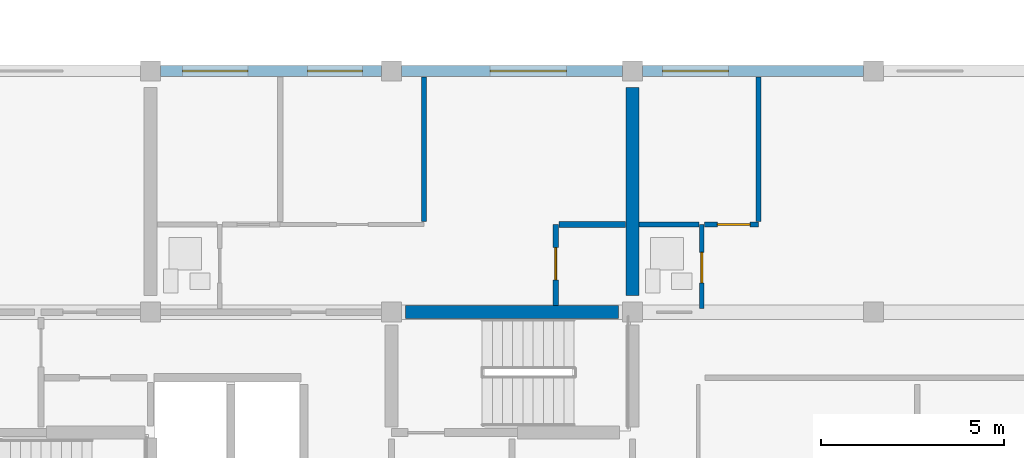
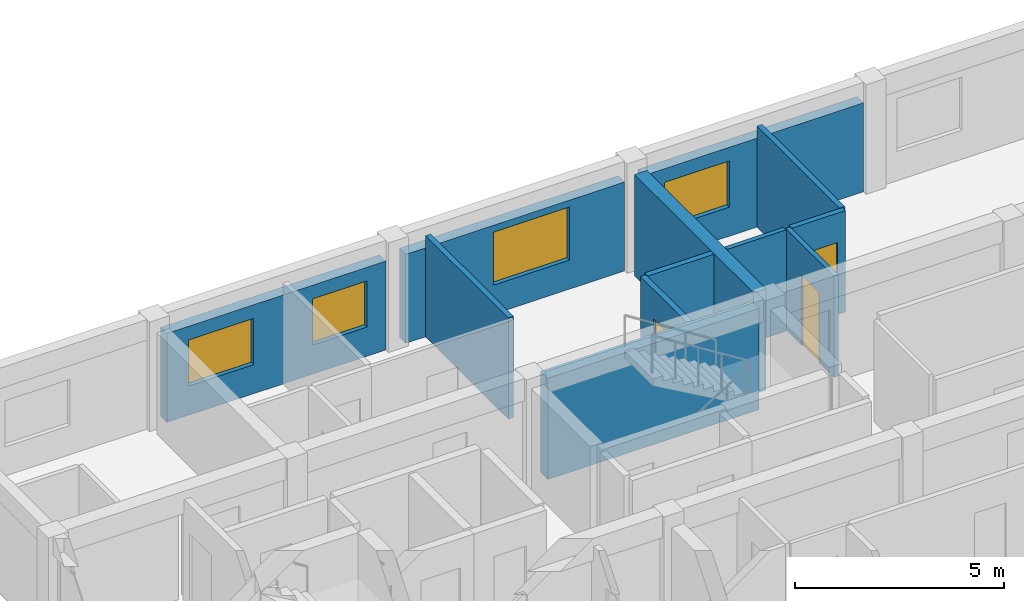
# One storey, part 38 of 52: 12 walls, 4 windows, 3 doors, 7 openings.
"""IFC4 building model written with IfcOpenShell, lengths in metres."""

import ifcopenshell
import ifcopenshell.guid

model = None  # the IFC model being written
_history = None  # IfcOwnerHistory: only IFC2X3 demands one
_inside = {}  # id of a spatial element -> (the spatial element, [elements in it])
_under = {}  # id of a project, library or spatial element -> (it, [spatial elements below it])
_declared = {}  # id of a project -> (the project, [libraries it declares])
_typed = {}  # id of a type object -> (the type object, [elements of that type])
_made_of = {}  # id of a material, layer set ... -> (it, [elements and type objects made of it])


def new_model(schema):
    """Start an empty IFC model of exactly this schema.

    Asked for "IFC4X3", IfcOpenShell would pick the latest addendum, in which some entities
    have other attributes; the version numbers below select the first issue.
    IFC2X3 requires an IfcOwnerHistory on every rooted entity: one is made here for all.
    """
    global model, _history
    if schema == "IFC4X3":
        model = ifcopenshell.file(schema_version=(4, 3, 0, 0))
    else:
        model = ifcopenshell.file(schema=schema)
    _inside.clear()
    _under.clear()
    _declared.clear()
    _typed.clear()
    _made_of.clear()
    _history = None
    if model.schema == "IFC2X3":
        org = make("IfcOrganization", Name="unknown")
        user = make(
            "IfcPersonAndOrganization",
            ThePerson=make("IfcPerson", FamilyName="unknown"),
            TheOrganization=org,
        )
        app = make(
            "IfcApplication",
            ApplicationDeveloper=org,
            Version="unknown",
            ApplicationFullName="unknown",
            ApplicationIdentifier="unknown",
        )
        _history = make(
            "IfcOwnerHistory",
            OwningUser=user,
            OwningApplication=app,
            ChangeAction="ADDED",
            CreationDate=0,
        )
    return model


def make(cls, **values):
    """One entity of the class cls with the attributes given. An attribute that is None is left unset."""
    return model.create_entity(
        cls, **{name: value for name, value in values.items() if value is not None}
    )


def rooted(cls, **values):
    """An entity with a GlobalId (a new one), such as an element, a storey or a relation."""
    return make(cls, GlobalId=ifcopenshell.guid.new(), OwnerHistory=_history, **values)


def si_unit(unit_type, name, prefix=None):
    """IfcSIUnit, for example si_unit("LENGTHUNIT", "METRE", prefix="MILLI")."""
    return make("IfcSIUnit", UnitType=unit_type, Prefix=prefix, Name=name)


def assignment(units):
    """IfcUnitAssignment: the units of a project."""
    return None if units is None else make("IfcUnitAssignment", Units=units)


def point(xyz):
    """IfcCartesianPoint."""
    return None if xyz is None else make("IfcCartesianPoint", Coordinates=xyz)


def direction(xyz):
    """IfcDirection."""
    return None if xyz is None else make("IfcDirection", DirectionRatios=xyz)


def frame(location, z_axis=None, x_axis=None):
    """IfcAxis2Placement3D, a coordinate frame: its origin and axes. An axis left out is left unset."""
    return make(
        "IfcAxis2Placement3D",
        Location=point(location),
        Axis=direction(z_axis),
        RefDirection=direction(x_axis),
    )


def frame_2d(location, x_axis=None):
    """IfcAxis2Placement2D, a coordinate frame in the plane: its origin and x axis."""
    return make(
        "IfcAxis2Placement2D", Location=point(location), RefDirection=direction(x_axis)
    )


def origin():
    """The frame at (0, 0, 0) with its axes left unset."""
    return frame((0.0, 0.0, 0.0))


def place(relative_to, where):
    """IfcLocalPlacement: puts the frame where relative to a parent placement (None: the world)."""
    return make(
        "IfcLocalPlacement", PlacementRelTo=relative_to, RelativePlacement=where
    )


def context(
    kind, dimensions, precision=None, world=None, true_north=None, identifier=None
):
    """IfcGeometricRepresentationContext, for example the 3D "Model" context."""
    return make(
        "IfcGeometricRepresentationContext",
        ContextIdentifier=identifier,
        ContextType=kind,
        CoordinateSpaceDimension=dimensions,
        Precision=precision,
        WorldCoordinateSystem=world,
        TrueNorth=true_north,
    )


def subcontext(parent, identifier, kind, view, scale=None):
    """IfcGeometricRepresentationSubContext, for example "Body" below "Model"."""
    return make(
        "IfcGeometricRepresentationSubContext",
        ContextIdentifier=identifier,
        ContextType=kind,
        ParentContext=parent,
        TargetScale=scale,
        TargetView=view,
    )


def project(units=None, contexts=None):
    """IfcProject with its units and contexts."""
    return rooted(
        "IfcProject",
        Name="project",
        RepresentationContexts=contexts,
        UnitsInContext=assignment(units),
    )


def spatial(cls, under=None, at=None, **own):
    """A site, building, storey or space (cls), placed at a placement, below another one or the project."""
    s = rooted(cls, ObjectPlacement=at, **own)
    if under is not None:
        _under.setdefault(under.id(), (under, []))[1].append(s)
    return s


def profile(cls, at=None, kind="AREA", **sizes):
    """A parametric profile (cls). Its sizes go by their IFC names, for example OverallWidth=200.0."""
    return make(cls, ProfileType=kind, Position=at, **sizes)


def rectangle(**sizes):
    """IfcRectangleProfileDef."""
    return profile("IfcRectangleProfileDef", **sizes)


def extrude(swept, where, along, depth):
    """IfcExtrudedAreaSolid: the profile swept, set in the frame where, extruded along a direction by depth."""
    return make(
        "IfcExtrudedAreaSolid",
        SweptArea=swept,
        Position=where,
        ExtrudedDirection=direction(along),
        Depth=depth,
    )


def shape(context_of_items, identifier, shape_type, items):
    """IfcShapeRepresentation: the items that make up one representation, for example the "Body"."""
    return make(
        "IfcShapeRepresentation",
        ContextOfItems=context_of_items,
        RepresentationIdentifier=identifier,
        RepresentationType=shape_type,
        Items=items,
    )


def material(Name=None, Category=None):
    """IfcMaterial."""
    return make("IfcMaterial", Name=Name, Category=Category)


def layer(
    of_material, thickness, ventilated=None, Name=None, Category=None, Priority=None
):
    """IfcMaterialLayer: one layer of a wall or slab, of a material (None: an air gap)."""
    return make(
        "IfcMaterialLayer",
        Material=of_material,
        LayerThickness=thickness,
        IsVentilated=ventilated,
        Name=Name,
        Category=Category,
        Priority=Priority,
    )


def layer_set(layers, Name=None):
    """IfcMaterialLayerSet."""
    return make("IfcMaterialLayerSet", MaterialLayers=layers, LayerSetName=Name)


def made_of(thing, what):
    """Note that an element or type object is made of a material, layer set ...; save() writes the relation."""
    if what is not None:
        _made_of.setdefault(what.id(), (what, []))[1].append(thing)
    return thing


def type_object(cls, material=None, **own):
    """A type object (cls), such as IfcWallType, which elements share."""
    return made_of(rooted(cls, **own), material)


def element(
    cls,
    number,
    at=None,
    inside=None,
    cuts=None,
    type_object=None,
    material=None,
    context=None,
    identifier="Body",
    shape_type=None,
    held_by="IfcProductDefinitionShape",
    body=None,
    shapes=None,
    **own,
):
    """One element of the class cls, such as IfcWall. Its Tag is "e" and its number.

    at: its placement. inside: the storey or other place that contains it. cuts: it is an
    opening in that element (IfcRelVoidsElement). A single representation is given by context,
    identifier, shape_type and body (its items); several are given by shapes. held_by: the class
    of the entity that holds the representations. save() writes the other relations.
    """
    e = rooted(cls, Tag="e%d" % number, ObjectPlacement=at, **own)
    if body is not None:
        shapes = [shape(context, identifier, shape_type, body)]
    if shapes is not None:
        e.Representation = make(held_by, Representations=shapes)
    if inside is not None:
        _inside.setdefault(inside.id(), (inside, []))[1].append(e)
    if cuts is not None:
        rooted(
            "IfcRelVoidsElement", RelatingBuildingElement=cuts, RelatedOpeningElement=e
        )
    if type_object is not None:
        _typed.setdefault(type_object.id(), (type_object, []))[1].append(e)
    return made_of(e, material)


def fill(opening, filler):
    """IfcRelFillsElement: the door or window that sits in an opening."""
    return rooted(
        "IfcRelFillsElement",
        RelatingOpeningElement=opening,
        RelatedBuildingElement=filler,
    )


def aggregate(whole, parts):
    """IfcRelAggregates: a whole, such as a stair, and the parts it consists of."""
    return rooted("IfcRelAggregates", RelatingObject=whole, RelatedObjects=parts)


def save(model, path):
    """Write the relations noted so far, then the file.

    IfcRelAggregates (storeys below a building ...), IfcRelContainedInSpatialStructure (elements
    in a storey), IfcRelDefinesByType, IfcRelAssociatesMaterial and IfcRelDeclares: one each for
    every whole, place, type object, material and project.
    """
    for whole, parts in _under.values():
        aggregate(whole, parts)
    for where, things in _inside.values():
        rooted(
            "IfcRelContainedInSpatialStructure",
            RelatedElements=things,
            RelatingStructure=where,
        )
    for kind, things in _typed.values():
        rooted("IfcRelDefinesByType", RelatedObjects=things, RelatingType=kind)
    for what, things in _made_of.values():
        rooted("IfcRelAssociatesMaterial", RelatedObjects=things, RelatingMaterial=what)
    for by, libraries in _declared.values():
        rooted("IfcRelDeclares", RelatingContext=by, RelatedDefinitions=libraries)
    model.write(path)


model = new_model("IFC4")

# Units and contexts
model_context = context("Model", 3, precision=1e-05, world=origin(), true_north=direction((0.0, 1.0)))
body_context = subcontext(model_context, "Body", "Model", "MODEL_VIEW")
ifc_project = project(units=[si_unit("LENGTHUNIT", "METRE"), si_unit("AREAUNIT", "SQUARE_METRE"), si_unit("VOLUMEUNIT", "CUBIC_METRE"), si_unit("PLANEANGLEUNIT", "RADIAN"), si_unit("MASSUNIT", "GRAM", prefix="KILO")], contexts=[model_context])

# Site, building, storey
site_placement = place(None, origin())
site = spatial("IfcSite", under=ifc_project, at=site_placement, CompositionType="ELEMENT")
building_placement = place(site_placement, origin())
building = spatial("IfcBuilding", under=site, at=building_placement, Name="Kernevlak Ridge Housing Community", CompositionType="ELEMENT")
storey_placement = place(building_placement, frame((0.0, 0.0, 11.60009765625)))
storey = spatial("IfcBuildingStorey", under=building, at=storey_placement, Name="L03", CompositionType="ELEMENT", Elevation=11.60009765625)

# Wall, openings, windows
ifc_material_1 = material(Name="Concrete block masonry M10", Category="masonry")
ifc_layer_1 = layer(ifc_material_1, 0.300048828125, Name="Concrete block masonry M10")
ifc_layer_set_1 = layer_set([ifc_layer_1], Name="Concrete block masonry M10")
wall_type_1 = type_object("IfcWallType", Name="EW-01", PredefinedType="STANDARD", material=ifc_layer_set_1)
wall_1_placement = place(storey_placement, frame((126.27490234375, 102.39990234375, 0.0), z_axis=(0.0, 0.0, 1.0), x_axis=(1.0, 0.0, 0.0)))
wall_1 = element("IfcWall", 1, at=wall_1_placement, inside=storey, type_object=wall_type_1, Name="Exterior wall EW-01 L03 345", PredefinedType="STANDARD", context=body_context, shape_type="SweptSolid", body=[
    extrude(rectangle(XDim=6.050048828125, YDim=0.300048828125, at=frame_2d((3.02490234375, 0.0))), origin(), (0.0, 0.0, 1.0), 2.599853515625),
])
opening_1_placement = place(wall_1_placement, frame((0.60009765625, 0.0, 0.85009765625)))
opening_1 = element("IfcOpeningElement", 2, at=opening_1_placement, cuts=wall_1, Name="Opening WT-03", PredefinedType="OPENING", context=body_context, shape_type="SweptSolid", body=[
    extrude(rectangle(XDim=1.800048828125, YDim=1.35009765625, at=frame_2d((0.89990234375, 0.675048828125))), frame((0.0, 0.159912109375, 0.0), z_axis=(0.0, -1.0, 0.0), x_axis=(1.0, 0.0, 0.0)), (0.0, 0.0, 1.0), 0.320068359375),
])
opening_2_placement = place(wall_1_placement, frame((4.02490234375, 0.0, 0.85009765625)))
opening_2 = element("IfcOpeningElement", 3, at=opening_2_placement, cuts=wall_1, Name="Opening WT-02", PredefinedType="OPENING", context=body_context, shape_type="SweptSolid", body=[
    extrude(rectangle(XDim=1.5, YDim=1.35009765625, at=frame_2d((0.75, 0.675048828125))), frame((0.0, 0.159912109375, 0.0), z_axis=(0.0, -1.0, 0.0), x_axis=(1.0, 0.0, 0.0)), (0.0, 0.0, 1.0), 0.320068359375),
])
ifc_material_2 = material(Name="Aluminium EN AW-6060 anodised and laminated glass", Category="aluminium")
window_type_1 = type_object("IfcWindowType", Name="WT-02", PartitioningType="SINGLE_PANEL", PredefinedType="WINDOW", material=ifc_material_2)
window_1_placement = place(opening_2_placement, origin())
window_1 = element("IfcWindow", 4, at=window_1_placement, inside=storey, type_object=window_type_1, Name="Window WT-02 L03 267", OverallHeight=1.35009765625, OverallWidth=1.5, PartitioningType="SINGLE_PANEL", PredefinedType="WINDOW", context=body_context, shape_type="SweptSolid", body=[
    extrude(rectangle(XDim=1.5, YDim=1.35009765625, at=frame_2d((0.75, 0.675048828125))), frame((0.0, 0.030029296875, 0.0), z_axis=(0.0, -1.0, 0.0), x_axis=(1.0, 0.0, 0.0)), (0.0, 0.0, 1.0), 0.06005859375),
])
fill(opening_2, window_1)
window_type_2 = type_object("IfcWindowType", Name="WT-03", PartitioningType="SINGLE_PANEL", PredefinedType="WINDOW", material=ifc_material_2)
window_2_placement = place(opening_1_placement, origin())
window_2 = element("IfcWindow", 5, at=window_2_placement, inside=storey, type_object=window_type_2, Name="Window WT-03 L03 266", OverallHeight=1.35009765625, OverallWidth=1.800048828125, PartitioningType="SINGLE_PANEL", PredefinedType="WINDOW", context=body_context, shape_type="SweptSolid", body=[
    extrude(rectangle(XDim=1.800048828125, YDim=1.35009765625, at=frame_2d((0.89990234375, 0.675048828125))), frame((0.0, 0.030029296875, 0.0), z_axis=(0.0, -1.0, 0.0), x_axis=(1.0, 0.0, 0.0)), (0.0, 0.0, 1.0), 0.06005859375),
])
fill(opening_1, window_2)

# Wall, opening, window
wall_2_placement = place(storey_placement, frame((132.875, 102.39990234375, 0.0), z_axis=(0.0, 0.0, 1.0), x_axis=(1.0, 0.0, 0.0)))
wall_2 = element("IfcWall", 6, at=wall_2_placement, inside=storey, type_object=wall_type_1, Name="Exterior wall EW-01 L03 346", PredefinedType="STANDARD", context=body_context, shape_type="SweptSolid", body=[
    extrude(rectangle(XDim=6.050048828125, YDim=0.300048828125, at=frame_2d((3.02490234375, 0.0))), origin(), (0.0, 0.0, 1.0), 2.599853515625),
])
opening_3_placement = place(wall_2_placement, frame((2.4208984375, 0.0, 0.85009765625)))
opening_3 = element("IfcOpeningElement", 7, at=opening_3_placement, cuts=wall_2, Name="Opening WT-05", PredefinedType="OPENING", context=body_context, shape_type="SweptSolid", body=[
    extrude(rectangle(XDim=2.10009765625, YDim=1.550048828125, at=frame_2d((1.050048828125, 0.77490234375))), frame((0.0, 0.159912109375, 0.0), z_axis=(0.0, -1.0, 0.0), x_axis=(1.0, 0.0, 0.0)), (0.0, 0.0, 1.0), 0.320068359375),
])
window_type_3 = type_object("IfcWindowType", Name="WT-05", PartitioningType="SINGLE_PANEL", PredefinedType="WINDOW", material=ifc_material_2)
window_3_placement = place(opening_3_placement, origin())
window_3 = element("IfcWindow", 8, at=window_3_placement, inside=storey, type_object=window_type_3, Name="Window WT-05 L03 268", OverallHeight=1.550048828125, OverallWidth=2.10009765625, PartitioningType="SINGLE_PANEL", PredefinedType="WINDOW", context=body_context, shape_type="SweptSolid", body=[
    extrude(rectangle(XDim=2.10009765625, YDim=1.550048828125, at=frame_2d((1.050048828125, 0.77490234375))), frame((0.0, 0.030029296875, 0.0), z_axis=(0.0, -1.0, 0.0), x_axis=(1.0, 0.0, 0.0)), (0.0, 0.0, 1.0), 0.06005859375),
])
fill(opening_3, window_3)

wall_3_placement = place(storey_placement, frame((139.47509765625, 102.39990234375, 0.0), z_axis=(0.0, 0.0, 1.0), x_axis=(1.0, 0.0, 0.0)))
wall_3 = element("IfcWall", 9, at=wall_3_placement, inside=storey, type_object=wall_type_1, Name="Exterior wall EW-01 L03 347", PredefinedType="STANDARD", context=body_context, shape_type="SweptSolid", body=[
    extrude(rectangle(XDim=6.0498046875, YDim=0.300048828125, at=frame_2d((3.02490234375, 0.0))), origin(), (0.0, 0.0, 1.0), 2.599853515625),
])
opening_4_placement = place(wall_3_placement, frame((0.550048828125, 0.0, 0.85009765625)))
opening_4 = element("IfcOpeningElement", 10, at=opening_4_placement, cuts=wall_3, Name="Opening WT-03", PredefinedType="OPENING", context=body_context, shape_type="SweptSolid", body=[
    extrude(rectangle(XDim=1.800048828125, YDim=1.35009765625, at=frame_2d((0.89990234375, 0.675048828125))), frame((0.0, 0.159912109375, 0.0), z_axis=(0.0, -1.0, 0.0), x_axis=(1.0, 0.0, 0.0)), (0.0, 0.0, 1.0), 0.320068359375),
])
window_4_placement = place(opening_4_placement, origin())
window_4 = element("IfcWindow", 11, at=window_4_placement, inside=storey, type_object=window_type_2, Name="Window WT-03 L03 269", OverallHeight=1.35009765625, OverallWidth=1.800048828125, PartitioningType="SINGLE_PANEL", PredefinedType="WINDOW", context=body_context, shape_type="SweptSolid", body=[
    extrude(rectangle(XDim=1.800048828125, YDim=1.35009765625, at=frame_2d((0.89990234375, 0.675048828125))), frame((0.0, 0.030029296875, 0.0), z_axis=(0.0, -1.0, 0.0), x_axis=(1.0, 0.0, 0.0)), (0.0, 0.0, 1.0), 0.06005859375),
])
fill(opening_4, window_4)

# Wall
ifc_layer_2 = layer(ifc_material_1, 0.14501953125, Name="Concrete block masonry M10")
ifc_layer_set_2 = layer_set([ifc_layer_2], Name="Concrete block masonry M10")
wall_type_2 = type_object("IfcWallType", Name="PW-03", PredefinedType="PARTITIONING", material=ifc_layer_set_2)
wall_4_placement = place(storey_placement, frame((133.491943359375, 98.280029296875, 0.0), z_axis=(0.0, 0.0, 1.0), x_axis=(0.0, 1.0, 0.0)))
element("IfcWall", 12, at=wall_4_placement, inside=storey, type_object=wall_type_2, Name="Interior wall PW-03 WAL-INT-L03-1377", PredefinedType="PARTITIONING", context=body_context, shape_type="SweptSolid", body=[
    extrude(rectangle(XDim=3.9599609375, YDim=0.14501953125, at=frame_2d((1.97998046875, 0.0))), origin(), (0.0, 0.0, 1.0), 2.9599609375),
])

# Wall, opening, door
wall_5_placement = place(storey_placement, frame((141.172607421875, 98.199951171875, 0.0), z_axis=(0.0, 0.0, 1.0), x_axis=(1.0, 0.0, 0.0)))
wall_5 = element("IfcWall", 13, at=wall_5_placement, inside=storey, type_object=wall_type_2, Name="Interior wall PW-03 WAL-INT-L03-1383", PredefinedType="PARTITIONING", context=body_context, shape_type="SweptSolid", body=[
    extrude(rectangle(XDim=1.477294921875, YDim=0.14501953125, at=frame_2d((0.73876953125, 0.0))), origin(), (0.0, 0.0, 1.0), 2.9599609375),
])
opening_5_placement = place(wall_5_placement, frame((0.35009765625, 0.0, 0.0)))
opening_5 = element("IfcOpeningElement", 14, at=opening_5_placement, cuts=wall_5, Name="Opening D700", PredefinedType="OPENING", context=body_context, shape_type="SweptSolid", body=[
    extrude(rectangle(XDim=0.89990234375, YDim=2.10009765625, at=frame_2d((0.449951171875, 1.050048828125))), frame((0.0, 0.08251953125, 0.0), z_axis=(0.0, -1.0, 0.0), x_axis=(1.0, 0.0, 0.0)), (0.0, 0.0, 1.0), 0.1650390625),
])
ifc_material_3 = material(Name="Hardwood timber leaf", Category="wood")
door_type_1 = type_object("IfcDoorType", Name="DT-21", OperationType="NOTDEFINED", PredefinedType="DOOR", material=ifc_material_3)
door_1_placement = place(opening_5_placement, origin())
door_1 = element("IfcDoor", 15, at=door_1_placement, inside=storey, type_object=door_type_1, Name="Flat B0323 bedroom door D700", OperationType="SINGLE_SWING_RIGHT", OverallHeight=2.10009765625, OverallWidth=0.89990234375, PredefinedType="DOOR", context=body_context, shape_type="SweptSolid", body=[
    extrude(rectangle(XDim=0.89990234375, YDim=2.10009765625, at=frame_2d((0.449951171875, 1.050048828125))), frame((0.0, 0.02490234375, 0.0), z_axis=(0.0, -1.0, 0.0), x_axis=(1.0, 0.0, 0.0)), (0.0, 0.0, 1.0), 0.050048828125),
])
fill(opening_5, door_1)

# Wall
wall_6_placement = place(storey_placement, frame((142.64990234375, 98.282470703125, 0.0), z_axis=(0.0, 0.0, 1.0), x_axis=(0.0, 1.0, 0.0)))
element("IfcWall", 16, at=wall_6_placement, inside=storey, type_object=wall_type_2, Name="Interior wall PW-03 WAL-INT-L03-1384", PredefinedType="PARTITIONING", context=body_context, shape_type="SweptSolid", body=[
    extrude(rectangle(XDim=3.95751953125, YDim=0.14501953125, at=frame_2d((1.978759765625, 0.0))), origin(), (0.0, 0.0, 1.0), 2.9599609375),
])

# Wall, opening, door
ifc_material_4 = material(Name="Gypsum plasterboard EN 520", Category="gypsum")
ifc_layer_3 = layer(ifc_material_4, 0.125, Name="Gypsum plasterboard EN 520")
ifc_layer_set_3 = layer_set([ifc_layer_3], Name="Gypsum plasterboard EN 520")
wall_type_3 = type_object("IfcWallType", Name="PW-04", PredefinedType="PARTITIONING", material=ifc_layer_set_3)
wall_7_placement = place(storey_placement, frame((141.10009765625, 95.8974609375, 0.0), z_axis=(0.0, 0.0, 1.0), x_axis=(0.0, 1.0, 0.0)))
wall_7 = element("IfcWall", 17, at=wall_7_placement, inside=storey, type_object=wall_type_3, Name="Interior wall PW-04 WAL-INT-L03-1379", PredefinedType="PARTITIONING", context=body_context, shape_type="SweptSolid", body=[
    extrude(rectangle(XDim=2.302490234375, YDim=0.125, at=frame_2d((1.1513671875, 0.0))), origin(), (0.0, 0.0, 1.0), 2.9599609375),
])
opening_6_placement = place(wall_7_placement, frame((0.699951171875, 0.0, 0.0)))
opening_6 = element("IfcOpeningElement", 18, at=opening_6_placement, cuts=wall_7, Name="Opening D698", PredefinedType="OPENING", context=body_context, shape_type="SweptSolid", body=[
    extrude(rectangle(XDim=0.840087890625, YDim=2.06005859375, at=frame_2d((0.419921875, 1.030029296875))), frame((0.0, 0.072509765625, 0.0), z_axis=(0.0, -1.0, 0.0), x_axis=(1.0, 0.0, 0.0)), (0.0, 0.0, 1.0), 0.14501953125),
])
ifc_material_5 = material(Name="Hardwood timber moisture-resistant leaf", Category="wood")
door_type_2 = type_object("IfcDoorType", Name="DT-27", OperationType="NOTDEFINED", PredefinedType="DOOR", material=ifc_material_5)
door_2_placement = place(opening_6_placement, origin())
door_2 = element("IfcDoor", 19, at=door_2_placement, inside=storey, type_object=door_type_2, Name="Flat B0323 bathroom door D698", OperationType="SINGLE_SWING_RIGHT", OverallHeight=2.06005859375, OverallWidth=0.840087890625, PredefinedType="DOOR", context=body_context, shape_type="SweptSolid", body=[
    extrude(rectangle(XDim=0.840087890625, YDim=2.06005859375, at=frame_2d((0.419921875, 1.030029296875))), frame((0.0, 0.02490234375, 0.0), z_axis=(0.0, -1.0, 0.0), x_axis=(1.0, 0.0, 0.0)), (0.0, 0.0, 1.0), 0.050048828125),
])
fill(opening_6, door_2)

# Wall
wall_8_placement = place(storey_placement, frame((139.385009765625, 98.199951171875, 0.0), z_axis=(0.0, 0.0, 1.0), x_axis=(1.0, 0.0, 0.0)))
element("IfcWall", 20, at=wall_8_placement, inside=storey, type_object=wall_type_3, Name="Interior wall PW-04 WAL-INT-L03-1380", PredefinedType="PARTITIONING", context=body_context, shape_type="SweptSolid", body=[
    extrude(rectangle(XDim=1.635009765625, YDim=0.125, at=frame_2d((0.8173828125, 0.0))), origin(), (0.0, 0.0, 1.0), 2.9599609375),
])

# Wall, opening, door
ifc_layer_4 = layer(ifc_material_4, 0.155029296875, Name="Gypsum plasterboard EN 520")
ifc_layer_set_4 = layer_set([ifc_layer_4], Name="Gypsum plasterboard EN 520")
wall_type_4 = type_object("IfcWallType", Name="PW-05", PredefinedType="PARTITIONING", material=ifc_layer_set_4)
wall_9_placement = place(storey_placement, frame((137.10009765625, 95.985107421875, 0.0), z_axis=(0.0, 0.0, 1.0), x_axis=(0.0, 1.0, 0.0)))
wall_9 = element("IfcWall", 21, at=wall_9_placement, inside=storey, type_object=wall_type_4, Name="Interior wall PW-05 WAL-INT-L03-1372", PredefinedType="PARTITIONING", context=body_context, shape_type="SweptSolid", body=[
    extrude(rectangle(XDim=2.21484375, YDim=0.155029296875, at=frame_2d((1.107421875, 0.0))), origin(), (0.0, 0.0, 1.0), 2.9599609375),
])
opening_7_placement = place(wall_9_placement, frame((0.699951171875, 0.0, 0.0)))
opening_7 = element("IfcOpeningElement", 22, at=opening_7_placement, cuts=wall_9, Name="Opening D694", PredefinedType="OPENING", context=body_context, shape_type="SweptSolid", body=[
    extrude(rectangle(XDim=0.8798828125, YDim=2.10009765625, at=frame_2d((0.43994140625, 1.050048828125))), frame((0.0, 0.08740234375, 0.0), z_axis=(0.0, -1.0, 0.0), x_axis=(1.0, 0.0, 0.0)), (0.0, 0.0, 1.0), 0.175048828125),
])
door_type_3 = type_object("IfcDoorType", Name="DT-25", OperationType="NOTDEFINED", PredefinedType="DOOR", material=ifc_material_3)
door_3_placement = place(opening_7_placement, origin())
door_3 = element("IfcDoor", 23, at=door_3_placement, inside=storey, type_object=door_type_3, Name="Flat B0322 kitchen door D694", OperationType="SINGLE_SWING_RIGHT", OverallHeight=2.10009765625, OverallWidth=0.8798828125, PredefinedType="DOOR", context=body_context, shape_type="SweptSolid", body=[
    extrude(rectangle(XDim=0.8798828125, YDim=2.10009765625, at=frame_2d((0.43994140625, 1.050048828125))), frame((0.0, 0.02490234375, 0.0), z_axis=(0.0, -1.0, 0.0), x_axis=(1.0, 0.0, 0.0)), (0.0, 0.0, 1.0), 0.050048828125),
])
fill(opening_7, door_3)

# Walls
wall_10_placement = place(storey_placement, frame((137.1875, 98.199951171875, 0.0), z_axis=(0.0, 0.0, 1.0), x_axis=(1.0, 0.0, 0.0)))
element("IfcWall", 24, at=wall_10_placement, inside=storey, type_object=wall_type_4, Name="Interior wall PW-05 WAL-INT-L03-1373", PredefinedType="PARTITIONING", context=body_context, shape_type="SweptSolid", body=[
    extrude(rectangle(XDim=1.827392578125, YDim=0.155029296875, at=frame_2d((0.91357421875, 0.0))), origin(), (0.0, 0.0, 1.0), 2.9599609375),
])
ifc_material_6 = material(Name="Concrete C40/50", Category="concrete")
ifc_layer_5 = layer(ifc_material_6, 0.35009765625, Name="Concrete C40/50")
ifc_layer_set_5 = layer_set([ifc_layer_5], Name="Concrete C40/50")
wall_type_5 = type_object("IfcWallType", Name="SW-01", PredefinedType="SHEAR", material=ifc_layer_set_5)
wall_11_placement = place(storey_placement, frame((132.97998046875, 95.800048828125, 0.0), z_axis=(0.0, 0.0, 1.0), x_axis=(1.0, 0.0, 0.0)))
element("IfcWall", 25, at=wall_11_placement, inside=storey, type_object=wall_type_5, Name="Shear wall SW-01 Block B L03 244", PredefinedType="SHEAR", context=body_context, shape_type="SweptSolid", body=[
    extrude(rectangle(XDim=5.840087890625, YDim=0.35009765625, at=frame_2d((2.919921875, 0.0))), origin(), (0.0, 0.0, 1.0), 2.9599609375),
])
wall_12_placement = place(storey_placement, frame((139.199951171875, 96.25, 0.0), z_axis=(0.0, 0.0, 1.0), x_axis=(0.0, 1.0, 0.0)))
element("IfcWall", 26, at=wall_12_placement, inside=storey, type_object=wall_type_5, Name="Shear wall SW-01 Block B L03 250", PredefinedType="SHEAR", context=body_context, shape_type="SweptSolid", body=[
    extrude(rectangle(XDim=5.699951171875, YDim=0.35009765625, at=frame_2d((2.85009765625, 0.0))), origin(), (0.0, 0.0, 1.0), 2.9599609375),
])

save(model, "model.ifc")
